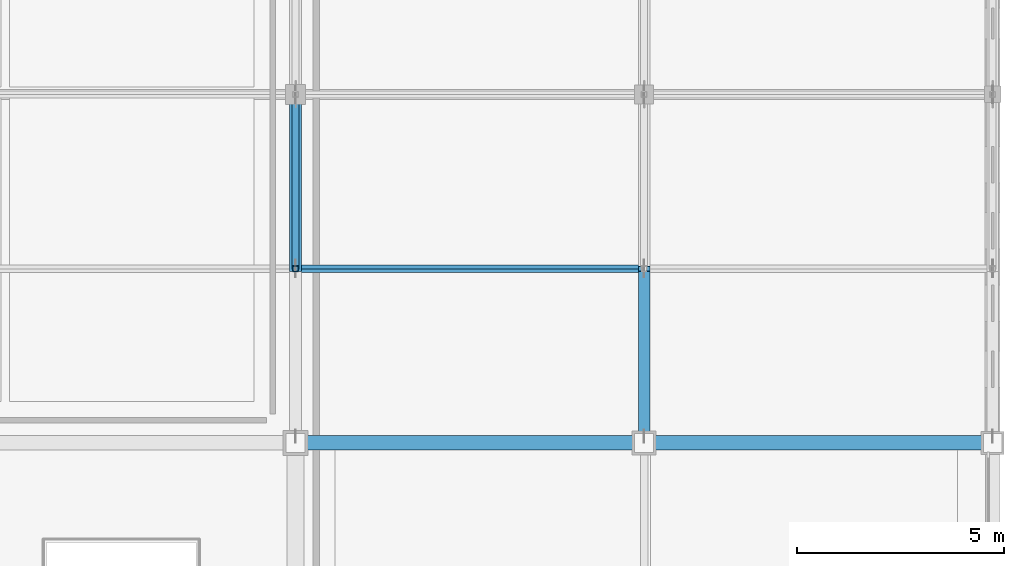
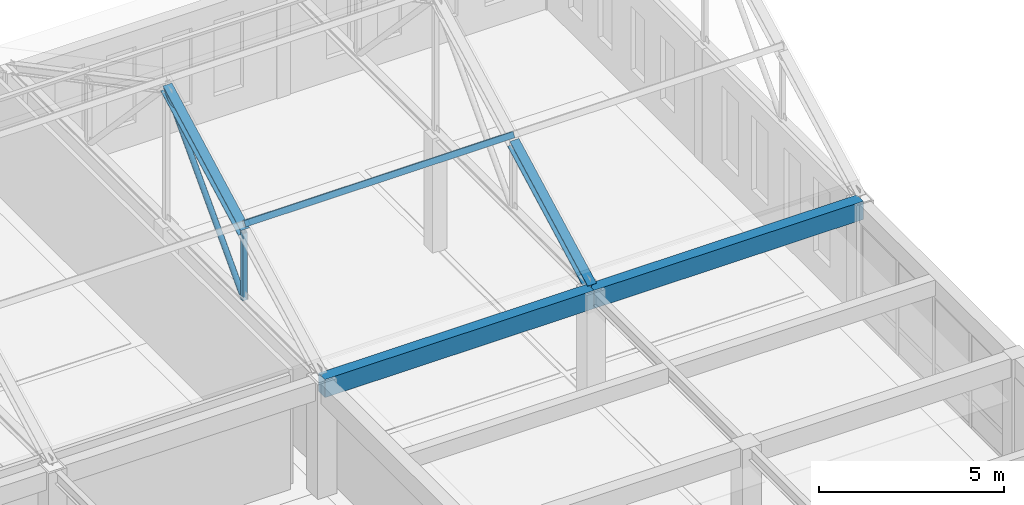
# One storey, part 21 of 56: 5 members, 2 beams.
"""IFC4 building model written with IfcOpenShell, lengths in metres."""

from ifc_helpers import new_model, si_unit, direction, frame, origin, origin_2d, place, context, subcontext, project, spatial, rectangle, hollow_rectangle, hollow_circle, i_section, extrude, material, material_profile, profile_set, type_object, element, save


model = new_model("IFC4")

# Units and contexts
model_context = context("Model", 3, precision=1e-05, world=origin(), true_north=direction((0.0, 1.0)))
body_context = subcontext(model_context, "Body", "Model", "MODEL_VIEW")
ifc_project = project(units=[si_unit("LENGTHUNIT", "METRE"), si_unit("AREAUNIT", "SQUARE_METRE"), si_unit("VOLUMEUNIT", "CUBIC_METRE"), si_unit("PLANEANGLEUNIT", "RADIAN"), si_unit("MASSUNIT", "GRAM", prefix="KILO")], contexts=[model_context])

# Site, building, storey
site_placement = place(None, origin())
site = spatial("IfcSite", under=ifc_project, at=site_placement, CompositionType="ELEMENT")
building_placement = place(site_placement, origin())
building = spatial("IfcBuilding", under=site, at=building_placement, Name="Kveldsbrygga Polytechnic", CompositionType="ELEMENT")
storey_placement = place(building_placement, frame((0.0, 0.0, 18.02001953125)))
storey = spatial("IfcBuildingStorey", under=building, at=storey_placement, Name="L04", CompositionType="ELEMENT", Elevation=18.02001953125)

# Beams
ifc_material_1 = material(Name="Concrete C35/45", Category="concrete")
ifc_material_profile_1 = material_profile(ifc_material_1, rectangle(XDim=0.35009765625, YDim=0.60009765625, at=origin_2d()), Name="RC 350x600")
ifc_profile_set_1 = profile_set([ifc_material_profile_1], Name="Concrete C35/45")
beam_type = type_object("IfcBeamType", Name="BM-SPANDREL-600", PredefinedType="T_BEAM", material=ifc_profile_set_1)
beam_1_placement = place(storey_placement, frame((151.199951171875, 100.800048828125, 3.47998046875), z_axis=(1.0, 0.0, 0.0), x_axis=(0.0, 1.0, 0.0)))
element("IfcBeam", 1, at=beam_1_placement, inside=storey, type_object=beam_type, Name="Primary Beam BMX-L04-18to19-12", PredefinedType="T_BEAM", context=body_context, shape_type="SweptSolid", body=[
    extrude(rectangle(XDim=0.35009765625, YDim=0.60009765625, at=origin_2d()), origin(), (0.0, 0.0, 1.0), 8.400146484375),
])
beam_2_placement = place(storey_placement, frame((159.60009765625, 100.800048828125, 3.47998046875), z_axis=(1.0, 0.0, 0.0), x_axis=(0.0, 1.0, 0.0)))
element("IfcBeam", 2, at=beam_2_placement, inside=storey, type_object=beam_type, Name="Primary Beam BMX-L04-19to20-12", PredefinedType="T_BEAM", context=body_context, shape_type="SweptSolid", body=[
    extrude(rectangle(XDim=0.35009765625, YDim=0.60009765625, at=origin_2d()), origin(), (0.0, 0.0, 1.0), 8.39990234375),
])

# Members
ifc_material_2 = material(Name="Steel S355", Category="steel")
ifc_material_profile_2 = material_profile(ifc_material_2, hollow_circle(Radius=0.084228515625, WallThickness=0.010009765625, at=origin_2d()), Name="CHS 168.3x10.0")
ifc_profile_set_2 = profile_set([ifc_material_profile_2], Name="Steel S355")
member_type_1 = type_object("IfcMemberType", Name="BR-WIND-CHS168", PredefinedType="BRACE", material=ifc_profile_set_2)
member_1_placement = place(storey_placement, frame((151.199951171875, 105.0, 3.780029296875), z_axis=(0.0, 0.686383320151, 0.727239945148), x_axis=(-1.0, 0.0, 0.0)))
element("IfcMember", 3, at=member_1_placement, inside=storey, type_object=member_type_1, Name="Truss Diagonal V4N5-T04-DG-2", PredefinedType="BRACE", context=body_context, shape_type="SweptSolid", body=[
    extrude(hollow_circle(Radius=0.084228515625, WallThickness=0.010009765625, at=origin_2d()), origin(), (0.0, 0.0, 1.0), 6.118896484375),
])
ifc_material_profile_3 = material_profile(ifc_material_2, hollow_rectangle(XDim=0.10009765625, YDim=0.179931640625, WallThickness=0.008056640625, at=origin_2d()), Name="RHS 180x100x8.0")
ifc_profile_set_3 = profile_set([ifc_material_profile_3], Name="Steel S355")
member_type_2 = type_object("IfcMemberType", Name="PRL-RHS180", PredefinedType="PURLIN", material=ifc_profile_set_3)
member_2_placement = place(storey_placement, frame((151.199951171875, 105.0, 6.265380859375), z_axis=(1.0, 0.0, 0.0), x_axis=(0.0, 0.883660254474, -0.468128779998)))
element("IfcMember", 4, at=member_2_placement, inside=storey, type_object=member_type_2, Name="Roof Purlin V4N5-PRL-4-1", PredefinedType="PURLIN", context=body_context, shape_type="SweptSolid", body=[
    extrude(hollow_rectangle(XDim=0.10009765625, YDim=0.179931640625, WallThickness=0.008056640625, at=origin_2d()), origin(), (0.0, 0.0, 1.0), 8.400146484375),
])
ifc_material_profile_4 = material_profile(ifc_material_2, hollow_rectangle(XDim=0.139892578125, YDim=0.139892578125, WallThickness=0.008056640625, at=origin_2d()), Name="SHS 140x140x8.0")
ifc_profile_set_4 = profile_set([ifc_material_profile_4], Name="Steel S355")
member_type_3 = type_object("IfcMemberType", Name="TR-POST-SHS140", PredefinedType="STRUT", material=ifc_profile_set_4)
member_3_placement = place(storey_placement, frame((151.199951171875, 105.0, 3.780029296875), z_axis=(0.0, 0.0, 1.0), x_axis=(1.0, 0.0, 0.0)))
element("IfcMember", 5, at=member_3_placement, inside=storey, type_object=member_type_3, Name="Truss Vertical V4N5-T04-VT-1", PredefinedType="STRUT", context=body_context, shape_type="SweptSolid", body=[
    extrude(hollow_rectangle(XDim=0.139892578125, YDim=0.139892578125, WallThickness=0.008056640625, at=origin_2d()), origin(), (0.0, 0.0, 1.0), 2.224853515625),
])
ifc_material_profile_5 = material_profile(ifc_material_2, i_section(OverallWidth=0.280029296875, OverallDepth=0.280029296875, WebThickness=0.010498046875, FlangeThickness=0.01806640625, FilletRadius=0.02392578125, at=origin_2d()), Name="HEB 280")
ifc_profile_set_5 = profile_set([ifc_material_profile_5], Name="Steel S355")
member_type_4 = type_object("IfcMemberType", Name="TR-TOP-HEB280", PredefinedType="CHORD", material=ifc_profile_set_5)
for number, where, z_axis, x_axis, name in (
    (6, (151.199951171875, 105.0, 6.0048828125), (0.0, 0.883649189339, 0.468149666432), (-1.0, 0.0, 0.0), "Truss Top Chord V4N5-T04-TC-2"),
    (7, (159.60009765625, 100.800048828125, 3.780029296875), (0.0, 0.883670438028, 0.468109556574), (-1.0, 0.0, 0.0), "Truss Top Chord V4N5-T05-TC-1"),
):
    element("IfcMember", number, at=place(storey_placement, frame(where, z_axis=z_axis, x_axis=x_axis)), inside=storey, type_object=member_type_4, Name=name, PredefinedType="CHORD", context=body_context, shape_type="SweptSolid", body=[
        extrude(i_section(OverallWidth=0.280029296875, OverallDepth=0.280029296875, WebThickness=0.010498046875, FlangeThickness=0.01806640625, FilletRadius=0.02392578125, at=origin_2d()), origin(), (0.0, 0.0, 1.0), 4.7529296875),
    ])

save(model, "model.ifc")
